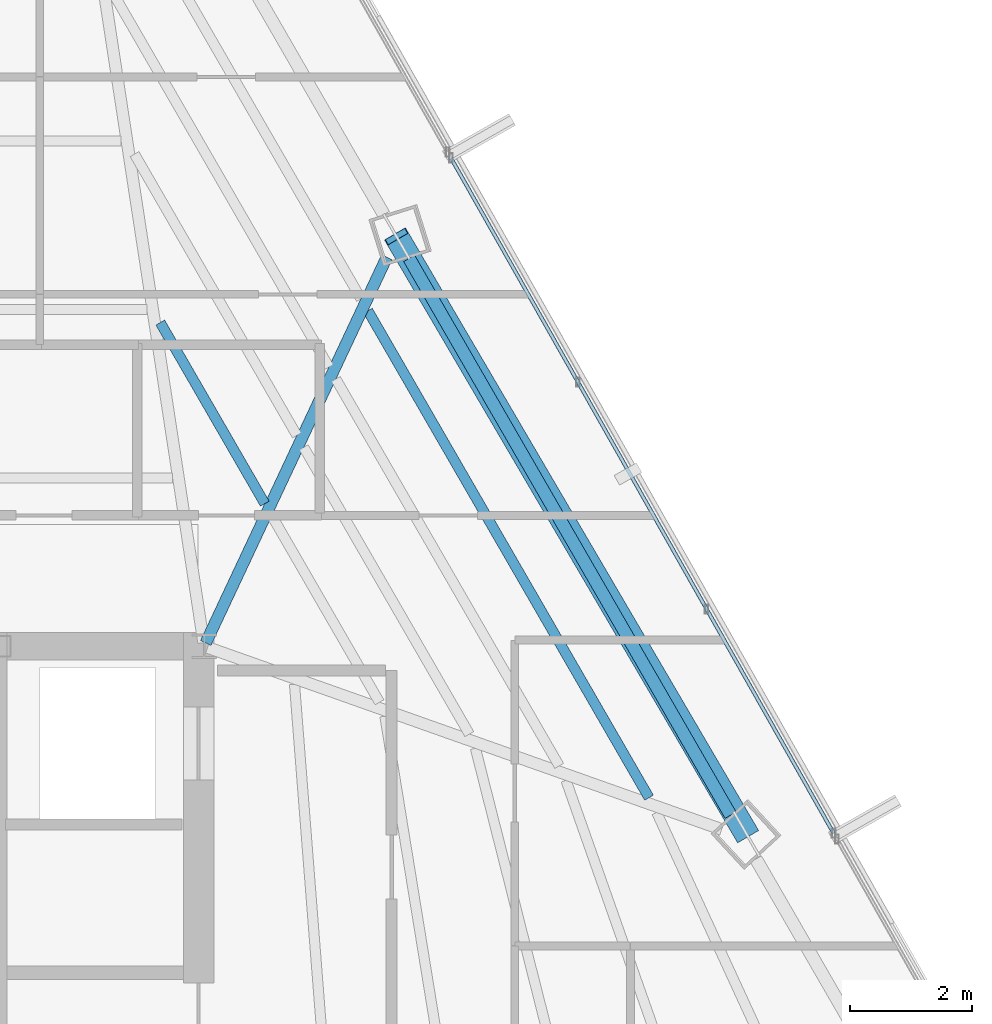
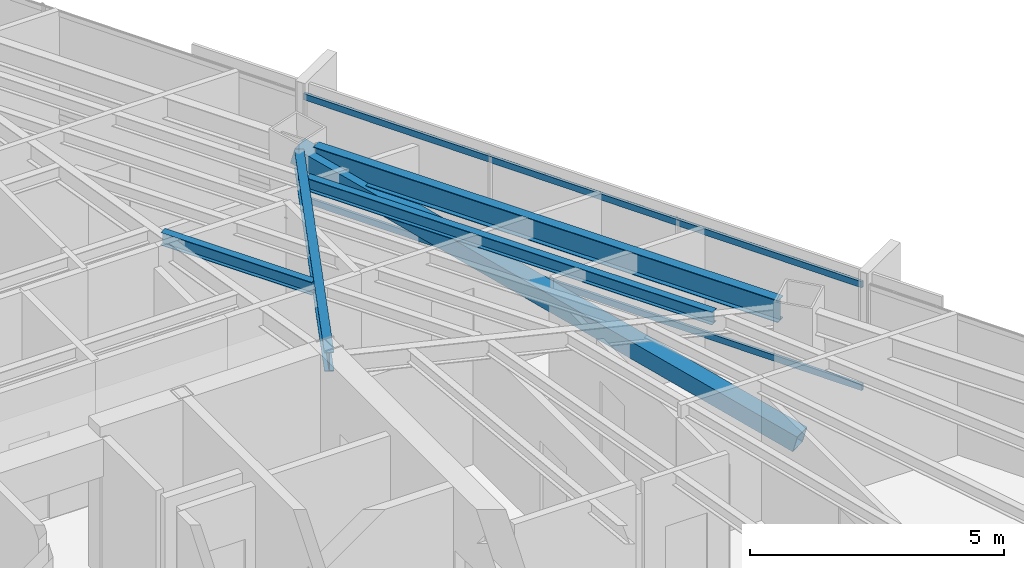
# One storey, part 27 of 42: 4 beams, 3 members, 1 element without a shape of its own.
"""IFC4 building model written with IfcOpenShell, lengths in metres."""

from ifc_helpers import new_model, si_unit, direction, frame, origin, origin_2d, place, context, subcontext, project, spatial, hollow_rectangle, i_section, extrude, source, transform, mapped, material, material_profile, profile_set, type_object, type_shapes, element, aggregate, save


model = new_model("IFC4")

# Units and contexts
model_context = context("Model", 3, precision=1e-05, world=origin(), true_north=direction((0.0, 1.0)))
body_context = subcontext(model_context, "Body", "Model", "MODEL_VIEW")
ifc_project = project(units=[si_unit("LENGTHUNIT", "METRE"), si_unit("AREAUNIT", "SQUARE_METRE"), si_unit("VOLUMEUNIT", "CUBIC_METRE"), si_unit("PLANEANGLEUNIT", "RADIAN"), si_unit("MASSUNIT", "GRAM", prefix="KILO")], contexts=[model_context])

# Site, building, storey
site_placement = place(None, origin())
site = spatial("IfcSite", under=ifc_project, at=site_placement, CompositionType="ELEMENT")
building_placement = place(site_placement, origin())
building = spatial("IfcBuilding", under=site, at=building_placement, Name="Caelisora Broadcast Tower", CompositionType="ELEMENT")
storey_placement = place(building_placement, frame((0.0, 0.0, 205.949951171875)))
storey = spatial("IfcBuildingStorey", under=building, at=storey_placement, Name="L54", CompositionType="ELEMENT", Elevation=205.949951171875)

# Beams
ifc_material_1 = material(Name="Steel Grade 350 (AS/NZS 3679.1)", Category="steel")
ifc_material_profile_1 = material_profile(ifc_material_1, i_section(OverallWidth=0.208984375, OverallDepth=0.532958984375, WebThickness=0.01025390625, FlangeThickness=0.015625, at=origin_2d()), Name="Steel Grade 350 (AS/NZS 3679.1)")
ifc_profile_set_1 = profile_set([ifc_material_profile_1], Name="Steel Grade 350 (AS/NZS 3679.1)")
beam_type_1 = type_object("IfcBeamType", Name="PG05", PredefinedType="BEAM", material=ifc_profile_set_1)
shared_shape_1 = source(origin(), body_context, "Body", "SweptSolid", [
    extrude(i_section(OverallWidth=0.208984375, OverallDepth=0.532958984375, WebThickness=0.01025390625, FlangeThickness=0.015625, at=origin_2d()), origin(), (0.0, 0.0, 1.0), 10.556884765625),
])
type_shapes(beam_type_1, [shared_shape_1])
beam_1_placement = place(storey_placement, frame((54.14501953125, 27.226318359375, 3.133544921875), z_axis=(-0.50000671437, 0.866021527206, 0.0), x_axis=(-0.866021527206, -0.50000671437, 0.0)))
element("IfcBeam", 1, at=beam_1_placement, inside=storey, type_object=beam_type_1, Name="L54 beam PG05", PredefinedType="BEAM", context=body_context, shape_type="MappedRepresentation", body=[
    mapped(shared_shape_1, transform((0.0, 0.0, 0.0), scale=1.0)),
])
ifc_material_profile_2 = material_profile(ifc_material_1, i_section(OverallWidth=0.19091796875, OverallDepth=0.46044921875, WebThickness=0.010009765625, FlangeThickness=0.01611328125, at=origin_2d()), Name="Steel Grade 350 (AS/NZS 3679.1)")
ifc_profile_set_2 = profile_set([ifc_material_profile_2], Name="Steel Grade 350 (AS/NZS 3679.1)")
beam_type_2 = type_object("IfcBeamType", Name="PG06", PredefinedType="BEAM", material=ifc_profile_set_2)
shared_shape_2 = source(origin(), body_context, "Body", "SweptSolid", [
    extrude(i_section(OverallWidth=0.19091796875, OverallDepth=0.46044921875, WebThickness=0.010009765625, FlangeThickness=0.01611328125, at=origin_2d()), origin(), (0.0, 0.0, 1.0), 6.99755859375),
])
type_shapes(beam_type_2, [shared_shape_2])
beam_2_placement = place(storey_placement, frame((45.525390625, 30.05419921875, 3.169921875), z_axis=(0.42491472211, 0.905233383683, 0.0), x_axis=(-0.905233383683, 0.42491472211, 0.0)))
element("IfcBeam", 2, at=beam_2_placement, inside=storey, type_object=beam_type_2, Name="L54 beam PG06", PredefinedType="BEAM", context=body_context, shape_type="MappedRepresentation", body=[
    mapped(shared_shape_2, transform((0.0, 0.0, 0.0), scale=1.0)),
])
ifc_material_profile_3 = material_profile(ifc_material_1, i_section(OverallWidth=0.166015625, OverallDepth=0.30712890625, WebThickness=0.006591796875, FlangeThickness=0.01171875, at=origin_2d()), Name="Steel Grade 350 (AS/NZS 3679.1)")
ifc_profile_set_3 = profile_set([ifc_material_profile_3], Name="Steel Grade 350 (AS/NZS 3679.1)")
beam_type_3 = type_object("IfcBeamType", Name="SB03", PredefinedType="JOIST", material=ifc_profile_set_3)
shared_shape_3 = source(origin(), body_context, "Body", "SweptSolid", [
    extrude(i_section(OverallWidth=0.166015625, OverallDepth=0.30712890625, WebThickness=0.006591796875, FlangeThickness=0.01171875, at=origin_2d()), origin(), (0.0, 0.0, 1.0), 3.4345703125),
])
beam_3_placement = place(storey_placement, frame((46.49609375, 32.34130859375, 3.246337890625), z_axis=(-0.500007552899, 0.866021043072, 0.0), x_axis=(-0.866021043072, -0.500007552899, 0.0)))
element("IfcBeam", 3, at=beam_3_placement, inside=storey, type_object=beam_type_3, Name="L54 beam SB03", PredefinedType="JOIST", context=body_context, shape_type="MappedRepresentation", body=[
    mapped(shared_shape_3, transform((0.0, 0.0, 0.0), scale=1.0)),
])
shared_shape_4 = source(origin(), body_context, "Body", "SweptSolid", [
    extrude(i_section(OverallWidth=0.166015625, OverallDepth=0.30712890625, WebThickness=0.006591796875, FlangeThickness=0.01171875, at=origin_2d()), origin(), (0.0, 0.0, 1.0), 9.233642578125),
])
type_shapes(beam_type_3, [shared_shape_3, shared_shape_4])
beam_4_placement = place(storey_placement, frame((52.805419921875, 27.512939453125, 3.246337890625), z_axis=(-0.499989475653, 0.866031479934, 0.0), x_axis=(-0.866031479934, -0.499989475653, 0.0)))
element("IfcBeam", 4, at=beam_4_placement, inside=storey, type_object=beam_type_3, Name="L54 beam SB03", PredefinedType="JOIST", context=body_context, shape_type="MappedRepresentation", body=[
    mapped(shared_shape_4, transform((0.0, 0.0, 0.0), scale=1.0)),
])

# Member
ifc_material_2 = material(Name="Steel Grade 450 (AS/NZS 1163 C450L0)", Category="steel")
ifc_material_profile_4 = material_profile(ifc_material_2, hollow_rectangle(XDim=0.39990234375, YDim=0.39990234375, WallThickness=0.01611328125, at=origin_2d()), Name="Steel Grade 450 (AS/NZS 1163 C450L0)")
ifc_profile_set_4 = profile_set([ifc_material_profile_4], Name="Steel Grade 450 (AS/NZS 1163 C450L0)")
member_type_1 = type_object("IfcMemberType", Name="BR04", PredefinedType="BRACE", material=ifc_profile_set_4)
shared_shape_5 = source(origin(), body_context, "Body", "SweptSolid", [
    extrude(hollow_rectangle(XDim=0.39990234375, YDim=0.39990234375, WallThickness=0.01611328125, at=origin_2d()), origin(), (0.0, 0.0, 1.0), 11.761962890625),
])
type_shapes(member_type_1, [shared_shape_5])
member_1_placement = place(storey_placement, frame((54.407470703125, 26.916259765625, 0.10009765625), z_axis=(-0.488785463594, 0.834285465357, 0.255061821668), x_axis=(-0.862823572986, -0.505505174948, 0.0)))
element("IfcMember", 5, at=member_1_placement, inside=storey, type_object=member_type_1, Name="L54 perimeter brace BR04", PredefinedType="BRACE", context=body_context, shape_type="MappedRepresentation", body=[
    mapped(shared_shape_5, transform((0.0, 0.0, 0.0), scale=1.0)),
])

# Curtain wall, members
ifc_material_3 = material(Name="Unitised Aluminium Insulated Shadow-Box Spandrel Curtain Wall", Category="aluminium")
curtain_wall_type = type_object("IfcCurtainWallType", Name="CW-SP2", PredefinedType="NOTDEFINED", material=ifc_material_3)
curtain_wall_placement = place(storey_placement, origin())
curtain_wall = element("IfcCurtainWall", 6, at=curtain_wall_placement, inside=storey, type_object=curtain_wall_type, Name="L54 curtain wall CW-SP2", PredefinedType="NOTDEFINED")
ifc_material_4 = material(Name="Aluminium 6063-T6 Anodised Terracotta Bronze", Category="aluminium")
ifc_material_profile_5 = material_profile(ifc_material_4, hollow_rectangle(XDim=0.06005859375, YDim=0.14990234375, WallThickness=0.00341796875, at=origin_2d()), Name="Aluminium 6063-T6 Anodised Terracotta Bronze")
ifc_profile_set_5 = profile_set([ifc_material_profile_5], Name="Aluminium 6063-T6 Anodised Terracotta Bronze")
member_type_2 = type_object("IfcMemberType", Name="CWT-02", PredefinedType="USERDEFINED", material=ifc_profile_set_5)
shared_shape_6 = source(origin(), body_context, "Body", "SweptSolid", [
    extrude(hollow_rectangle(XDim=0.06005859375, YDim=0.14990234375, WallThickness=0.00341796875, at=origin_2d()), origin(), (0.0, 0.0, 1.0), 12.745849609375),
])
type_shapes(member_type_2, [shared_shape_6])
member_2_placement = place(storey_placement, frame((49.55419921875, 38.017333984375, 0.85009765625), z_axis=(0.492996140021, -0.870031497087, 0.0), x_axis=(0.870031497087, 0.492996140021, 0.0)))
member_2 = element("IfcMember", 7, at=member_2_placement, type_object=member_type_2, Name="L54-CW-B02 transom #1", ObjectType="TRANSOM", PredefinedType="USERDEFINED", context=body_context, shape_type="MappedRepresentation", body=[
    mapped(shared_shape_6, transform((0.0, 0.0, 0.0), scale=1.0)),
])
member_3_placement = place(storey_placement, frame((49.55419921875, 38.017333984375, 3.320068359375), z_axis=(0.492996140021, -0.870031497087, 0.0), x_axis=(0.870031497087, 0.492996140021, 0.0)))
member_3 = element("IfcMember", 8, at=member_3_placement, type_object=member_type_2, Name="L54-CW-B02 transom #2", ObjectType="TRANSOM", PredefinedType="USERDEFINED", context=body_context, shape_type="MappedRepresentation", body=[
    mapped(shared_shape_6, transform((0.0, 0.0, 0.0), scale=1.0)),
])
aggregate(curtain_wall, [member_2, member_3])

save(model, "model.ifc")
